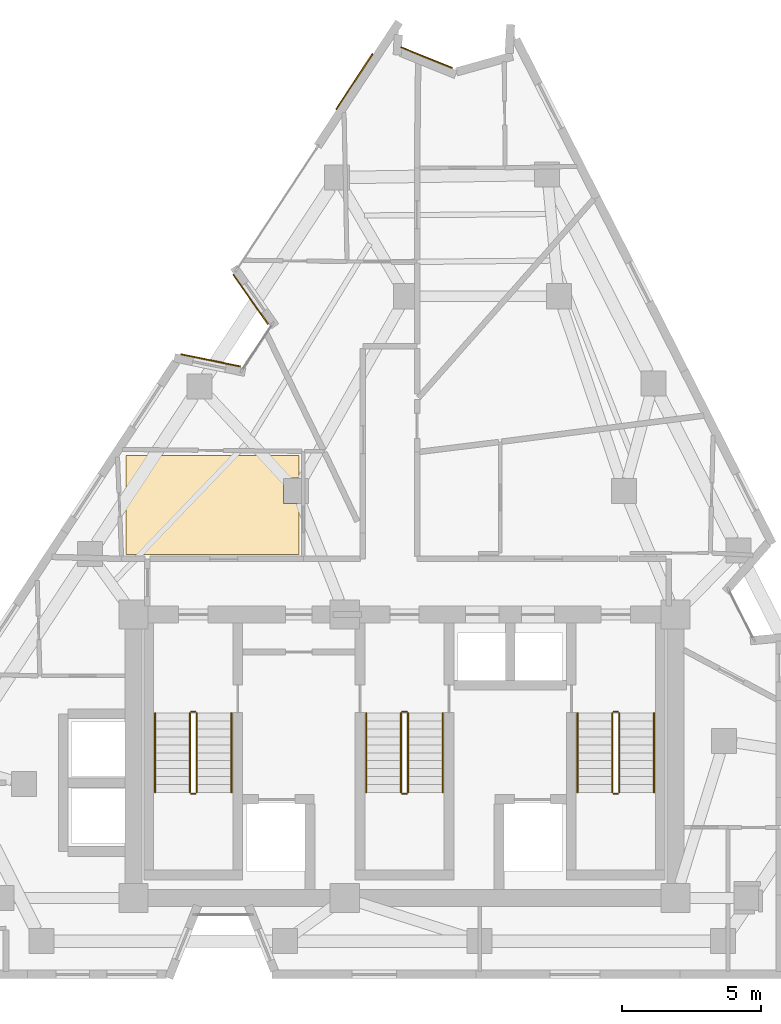
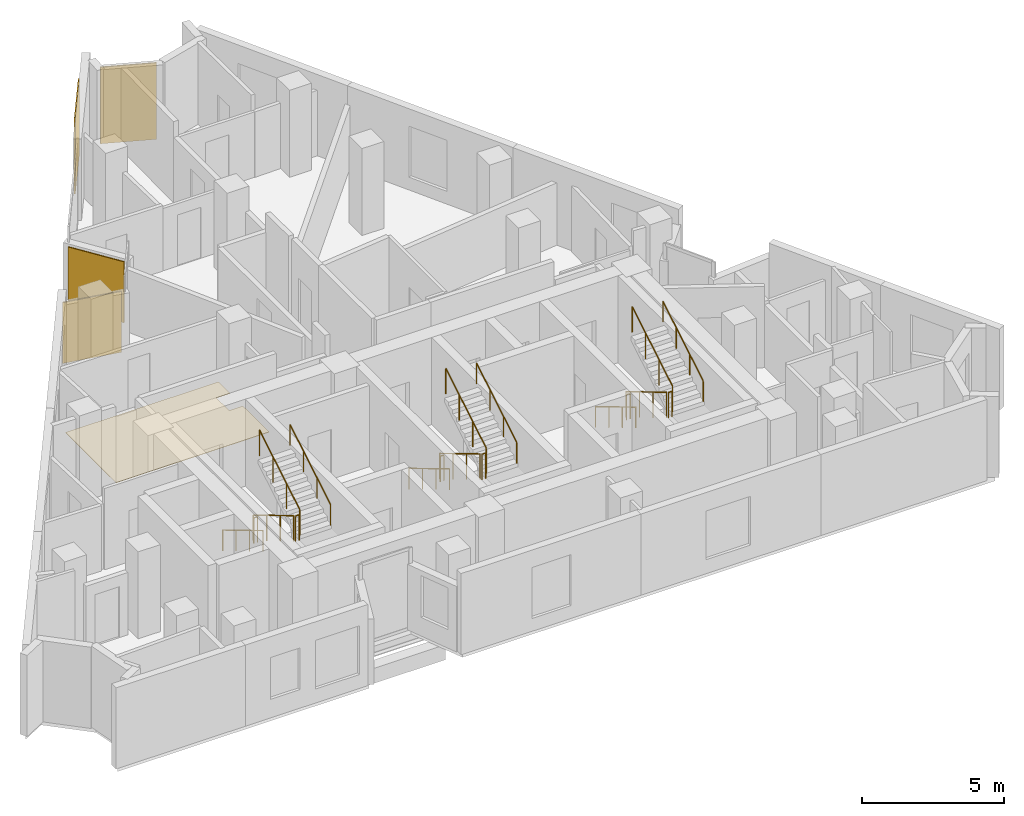
# One storey, part 10 of 10: 18 railings, 5 coverings.
"""IFC4 building model written with IfcOpenShell, lengths in metres."""

from ifc_helpers import new_model, si_unit, direction, frame, origin, origin_2d, place, context, subcontext, project, spatial, polyline, rectangle, circle, outline, extrude, material, layer, layer_set, type_object, element, save


model = new_model("IFC4")

# Units and contexts
model_context = context("Model", 3, precision=1e-05, world=origin(), true_north=direction((0.0, 1.0)))
body_context = subcontext(model_context, "Body", "Model", "MODEL_VIEW")
ifc_project = project(units=[si_unit("LENGTHUNIT", "METRE"), si_unit("AREAUNIT", "SQUARE_METRE"), si_unit("VOLUMEUNIT", "CUBIC_METRE"), si_unit("PLANEANGLEUNIT", "RADIAN"), si_unit("MASSUNIT", "GRAM", prefix="KILO")], contexts=[model_context])

# Site, building, storey
site_placement = place(None, origin())
site = spatial("IfcSite", under=ifc_project, at=site_placement, CompositionType="ELEMENT")
building_placement = place(site_placement, origin())
building = spatial("IfcBuilding", under=site, at=building_placement, Name="Almagre Mirador Tower", CompositionType="ELEMENT")
storey_placement = place(building_placement, frame((0.0, 0.0, 233.25)))
storey = spatial("IfcBuildingStorey", under=building, at=storey_placement, Name="L60", CompositionType="ELEMENT", Elevation=233.25)

# Coverings
ifc_material_1 = material(Name="Almagre terracotta architectural cladding", Category="masonry")
ifc_layer_1 = layer(ifc_material_1, 0.044921875)
ifc_layer_set_1 = layer_set([ifc_layer_1], Name="Almagre terracotta architectural cladding")
covering_type_1 = type_object("IfcCoveringType", Name="COV-CLAD-ALMAGRE", PredefinedType="CLADDING", material=ifc_layer_set_1)
covering_1_placement = place(storey_placement, frame((30.32373046875, 23.89404296875, 0.10009765625), z_axis=(0.0, 0.0, 1.0), x_axis=(0.979501484897, -0.201436940713, 0.0)))
element("IfcCovering", 1, at=covering_1_placement, inside=storey, type_object=covering_type_1, Name="L60 almagre terracotta pier cladding", PredefinedType="CLADDING", context=body_context, shape_type="SweptSolid", body=[
    extrude(rectangle(XDim=2.193115234375, YDim=0.044921875, at=origin_2d()), origin(), (0.0, 0.0, 1.0), 2.625),
])
covering_2_placement = place(storey_placement, frame((31.7646484375, 26.08740234375, 0.10009765625), z_axis=(0.0, 0.0, 1.0), x_axis=(-0.573890925866, 0.818931746367, 0.0)))
element("IfcCovering", 2, at=covering_2_placement, inside=storey, type_object=covering_type_1, Name="L60 almagre terracotta pier cladding", PredefinedType="CLADDING", context=body_context, shape_type="SweptSolid", body=[
    extrude(rectangle(XDim=2.194091796875, YDim=0.044921875, at=origin_2d()), origin(), (0.0, 0.0, 1.0), 2.625),
])
covering_3_placement = place(storey_placement, frame((35.494384765625, 33.9208984375, 0.10009765625), z_axis=(0.0, 0.0, 1.0), x_axis=(0.549066580017, 0.835778613455, 0.0)))
element("IfcCovering", 3, at=covering_3_placement, inside=storey, type_object=covering_type_1, Name="L60 almagre terracotta pier cladding", PredefinedType="CLADDING", context=body_context, shape_type="SweptSolid", body=[
    extrude(rectangle(XDim=2.39990234375, YDim=0.044921875, at=origin_2d()), origin(), (0.0, 0.0, 1.0), 3.300048828125),
])
covering_4_placement = place(storey_placement, frame((38.09375, 34.785400390625, 0.10009765625), z_axis=(0.0, 0.0, 1.0), x_axis=(0.927066122682, -0.374897858324, 0.0)))
element("IfcCovering", 4, at=covering_4_placement, inside=storey, type_object=covering_type_1, Name="L60 almagre terracotta pier cladding", PredefinedType="CLADDING", context=body_context, shape_type="SweptSolid", body=[
    extrude(rectangle(XDim=2.0009765625, YDim=0.044921875, at=origin_2d()), origin(), (0.0, 0.0, 1.0), 3.300048828125),
])
ifc_material_2 = material(Name="Engineered white oak flooring", Category="wood")
ifc_layer_2 = layer(ifc_material_2, 0.01806640625)
ifc_layer_set_2 = layer_set([ifc_layer_2], Name="Engineered white oak flooring")
covering_type_2 = type_object("IfcCoveringType", Name="COV-FLR-OAK-18", PredefinedType="FLOORING", material=ifc_layer_set_2)
covering_5_placement = place(storey_placement, origin())
element("IfcCovering", 5, at=covering_5_placement, inside=storey, type_object=covering_type_2, Name="L60 Unit L60-F Living and Dining Room finish flooring", PredefinedType="FLOORING", context=body_context, shape_type="SweptSolid", body=[
    extrude(outline(polyline([(27.27001953125, 20.469970703125), (33.510009765625, 20.469970703125), (33.510009765625, 19.655029296875), (32.945068359375, 19.655029296875), (32.945068359375, 18.7451171875), (33.510009765625, 18.7451171875), (33.510009765625, 16.89990234375), (27.27001953125, 16.89990234375), (27.27001953125, 20.469970703125)])), origin(), (0.0, 0.0, 1.0), 0.01806640625),
])

# Railings
ifc_material_3 = material(Name="Painted galvanized steel", Category="steel")
railing_type_1 = type_object("IfcRailingType", Name="RLG-GRD-1100", PredefinedType="GUARDRAIL", material=ifc_material_3)
railing_1_placement = place(storey_placement, frame((29.574951171875, 11.199951171875, 0.17041015625)))
element("IfcRailing", 6, at=railing_1_placement, inside=storey, type_object=railing_type_1, Name="L60 ST-1 stair guard 1", PredefinedType="GUARDRAIL", context=body_context, shape_type="SweptSolid", body=[
    extrude(circle(Radius=0.02392578125, at=origin_2d()), frame((0.0, 0.0, 1.09619140625), z_axis=(0.0, -0.858199205511, 0.513316786848), x_axis=(1.0, 0.0, 0.0)), (0.0, 0.0, 1.0), 3.32080078125),
    extrude(circle(Radius=0.02099609375, at=origin_2d()), origin(), (0.0, 0.0, 1.0), 1.072021484375),
    extrude(circle(Radius=0.02099609375, at=origin_2d()), frame((0.0, -0.949951171875, 0.568115234375)), (0.0, 0.0, 1.0), 1.072021484375),
    extrude(circle(Radius=0.02099609375, at=origin_2d()), frame((0.0, -1.89990234375, 1.136474609375)), (0.0, 0.0, 1.0), 1.072021484375),
    extrude(circle(Radius=0.02099609375, at=origin_2d()), frame((0.0, -2.849853515625, 1.70458984375)), (0.0, 0.0, 1.0), 1.072021484375),
])
railing_2_placement = place(storey_placement, frame((29.625, 8.300048828125, 1.875)))
element("IfcRailing", 7, at=railing_2_placement, inside=storey, type_object=railing_type_1, Name="L60 ST-1 stair guard 2", PredefinedType="GUARDRAIL", context=body_context, shape_type="SweptSolid", body=[
    extrude(circle(Radius=0.02392578125, at=origin_2d()), frame((0.0, 0.0, 1.09619140625), z_axis=(1.0, 0.0, 0.0), x_axis=(0.0, 1.0, 0.0)), (0.0, 0.0, 1.0), 0.14990234375),
    extrude(circle(Radius=0.02099609375, at=origin_2d()), origin(), (0.0, 0.0, 1.0), 1.072021484375),
    extrude(circle(Radius=0.02099609375, at=origin_2d()), frame((0.14990234375, 0.0, 0.0)), (0.0, 0.0, 1.0), 1.072021484375),
])
railing_3_placement = place(storey_placement, frame((29.824951171875, 8.35009765625, 2.04541015625)))
element("IfcRailing", 8, at=railing_3_placement, inside=storey, type_object=railing_type_1, Name="L60 ST-1 stair guard 3", PredefinedType="GUARDRAIL", context=body_context, shape_type="SweptSolid", body=[
    extrude(circle(Radius=0.02392578125, at=origin_2d()), frame((0.0, 0.0, 1.09619140625), z_axis=(0.0, 0.858199205511, 0.513316786848), x_axis=(-1.0, 0.0, 0.0)), (0.0, 0.0, 1.0), 3.32080078125),
    extrude(circle(Radius=0.02099609375, at=origin_2d()), origin(), (0.0, 0.0, 1.0), 1.072021484375),
    extrude(circle(Radius=0.02099609375, at=origin_2d()), frame((0.0, 0.949951171875, 0.568115234375)), (0.0, 0.0, 1.0), 1.072021484375),
    extrude(circle(Radius=0.02099609375, at=origin_2d()), frame((0.0, 1.89990234375, 1.136474609375)), (0.0, 0.0, 1.0), 1.072021484375),
    extrude(circle(Radius=0.02099609375, at=origin_2d()), frame((0.0, 2.849853515625, 1.70458984375)), (0.0, 0.0, 1.0), 1.072021484375),
])
railing_4_placement = place(storey_placement, frame((29.625, 11.25, 0.0)))
element("IfcRailing", 9, at=railing_4_placement, inside=storey, type_object=railing_type_1, Name="L60 ST-1 stair guard 4", PredefinedType="GUARDRAIL", context=body_context, shape_type="SweptSolid", body=[
    extrude(circle(Radius=0.02392578125, at=origin_2d()), frame((0.0, 0.0, 1.09619140625), z_axis=(1.0, 0.0, 0.0), x_axis=(0.0, 1.0, 0.0)), (0.0, 0.0, 1.0), 0.14990234375),
    extrude(circle(Radius=0.02099609375, at=origin_2d()), origin(), (0.0, 0.0, 1.0), 1.072021484375),
    extrude(circle(Radius=0.02099609375, at=origin_2d()), frame((0.14990234375, 0.0, 0.0)), (0.0, 0.0, 1.0), 1.072021484375),
])
railing_5_placement = place(storey_placement, frame((37.175048828125, 11.199951171875, 0.17041015625)))
element("IfcRailing", 10, at=railing_5_placement, inside=storey, type_object=railing_type_1, Name="L60 ST-2 stair guard 1", PredefinedType="GUARDRAIL", context=body_context, shape_type="SweptSolid", body=[
    extrude(circle(Radius=0.02392578125, at=origin_2d()), frame((0.0, 0.0, 1.09619140625), z_axis=(0.0, -0.858199205511, 0.513316786848), x_axis=(1.0, 0.0, 0.0)), (0.0, 0.0, 1.0), 3.32080078125),
    extrude(circle(Radius=0.02099609375, at=origin_2d()), origin(), (0.0, 0.0, 1.0), 1.072021484375),
    extrude(circle(Radius=0.02099609375, at=origin_2d()), frame((0.0, -0.949951171875, 0.568115234375)), (0.0, 0.0, 1.0), 1.072021484375),
    extrude(circle(Radius=0.02099609375, at=origin_2d()), frame((0.0, -1.89990234375, 1.136474609375)), (0.0, 0.0, 1.0), 1.072021484375),
    extrude(circle(Radius=0.02099609375, at=origin_2d()), frame((0.0, -2.849853515625, 1.70458984375)), (0.0, 0.0, 1.0), 1.072021484375),
])
railing_6_placement = place(storey_placement, frame((37.22509765625, 8.300048828125, 1.875)))
element("IfcRailing", 11, at=railing_6_placement, inside=storey, type_object=railing_type_1, Name="L60 ST-2 stair guard 2", PredefinedType="GUARDRAIL", context=body_context, shape_type="SweptSolid", body=[
    extrude(circle(Radius=0.02392578125, at=origin_2d()), frame((0.0, 0.0, 1.09619140625), z_axis=(1.0, 0.0, 0.0), x_axis=(0.0, 1.0, 0.0)), (0.0, 0.0, 1.0), 0.14990234375),
    extrude(circle(Radius=0.02099609375, at=origin_2d()), origin(), (0.0, 0.0, 1.0), 1.072021484375),
    extrude(circle(Radius=0.02099609375, at=origin_2d()), frame((0.14990234375, 0.0, 0.0)), (0.0, 0.0, 1.0), 1.072021484375),
])
railing_7_placement = place(storey_placement, frame((37.425048828125, 8.35009765625, 2.04541015625)))
element("IfcRailing", 12, at=railing_7_placement, inside=storey, type_object=railing_type_1, Name="L60 ST-2 stair guard 3", PredefinedType="GUARDRAIL", context=body_context, shape_type="SweptSolid", body=[
    extrude(circle(Radius=0.02392578125, at=origin_2d()), frame((0.0, 0.0, 1.09619140625), z_axis=(0.0, 0.858199205511, 0.513316786848), x_axis=(-1.0, 0.0, 0.0)), (0.0, 0.0, 1.0), 3.32080078125),
    extrude(circle(Radius=0.02099609375, at=origin_2d()), origin(), (0.0, 0.0, 1.0), 1.072021484375),
    extrude(circle(Radius=0.02099609375, at=origin_2d()), frame((0.0, 0.949951171875, 0.568115234375)), (0.0, 0.0, 1.0), 1.072021484375),
    extrude(circle(Radius=0.02099609375, at=origin_2d()), frame((0.0, 1.89990234375, 1.136474609375)), (0.0, 0.0, 1.0), 1.072021484375),
    extrude(circle(Radius=0.02099609375, at=origin_2d()), frame((0.0, 2.849853515625, 1.70458984375)), (0.0, 0.0, 1.0), 1.072021484375),
])
railing_8_placement = place(storey_placement, frame((37.22509765625, 11.25, 0.0)))
element("IfcRailing", 13, at=railing_8_placement, inside=storey, type_object=railing_type_1, Name="L60 ST-2 stair guard 4", PredefinedType="GUARDRAIL", context=body_context, shape_type="SweptSolid", body=[
    extrude(circle(Radius=0.02392578125, at=origin_2d()), frame((0.0, 0.0, 1.09619140625), z_axis=(1.0, 0.0, 0.0), x_axis=(0.0, 1.0, 0.0)), (0.0, 0.0, 1.0), 0.14990234375),
    extrude(circle(Radius=0.02099609375, at=origin_2d()), origin(), (0.0, 0.0, 1.0), 1.072021484375),
    extrude(circle(Radius=0.02099609375, at=origin_2d()), frame((0.14990234375, 0.0, 0.0)), (0.0, 0.0, 1.0), 1.072021484375),
])
railing_9_placement = place(storey_placement, frame((44.77490234375, 11.199951171875, 0.17041015625)))
element("IfcRailing", 14, at=railing_9_placement, inside=storey, type_object=railing_type_1, Name="L60 ST-3 stair guard 1", PredefinedType="GUARDRAIL", context=body_context, shape_type="SweptSolid", body=[
    extrude(circle(Radius=0.02392578125, at=origin_2d()), frame((0.0, 0.0, 1.09619140625), z_axis=(0.0, -0.858199205511, 0.513316786848), x_axis=(1.0, 0.0, 0.0)), (0.0, 0.0, 1.0), 3.32080078125),
    extrude(circle(Radius=0.02099609375, at=origin_2d()), origin(), (0.0, 0.0, 1.0), 1.072021484375),
    extrude(circle(Radius=0.02099609375, at=origin_2d()), frame((0.0, -0.949951171875, 0.568115234375)), (0.0, 0.0, 1.0), 1.072021484375),
    extrude(circle(Radius=0.02099609375, at=origin_2d()), frame((0.0, -1.89990234375, 1.136474609375)), (0.0, 0.0, 1.0), 1.072021484375),
    extrude(circle(Radius=0.02099609375, at=origin_2d()), frame((0.0, -2.849853515625, 1.70458984375)), (0.0, 0.0, 1.0), 1.072021484375),
])
railing_10_placement = place(storey_placement, frame((44.824951171875, 8.300048828125, 1.875)))
element("IfcRailing", 15, at=railing_10_placement, inside=storey, type_object=railing_type_1, Name="L60 ST-3 stair guard 2", PredefinedType="GUARDRAIL", context=body_context, shape_type="SweptSolid", body=[
    extrude(circle(Radius=0.02392578125, at=origin_2d()), frame((0.0, 0.0, 1.09619140625), z_axis=(1.0, 0.0, 0.0), x_axis=(0.0, 1.0, 0.0)), (0.0, 0.0, 1.0), 0.150146484375),
    extrude(circle(Radius=0.02099609375, at=origin_2d()), origin(), (0.0, 0.0, 1.0), 1.072021484375),
    extrude(circle(Radius=0.02099609375, at=origin_2d()), frame((0.150146484375, 0.0, 0.0)), (0.0, 0.0, 1.0), 1.072021484375),
])
railing_11_placement = place(storey_placement, frame((45.02490234375, 8.35009765625, 2.04541015625)))
element("IfcRailing", 16, at=railing_11_placement, inside=storey, type_object=railing_type_1, Name="L60 ST-3 stair guard 3", PredefinedType="GUARDRAIL", context=body_context, shape_type="SweptSolid", body=[
    extrude(circle(Radius=0.02392578125, at=origin_2d()), frame((0.0, 0.0, 1.09619140625), z_axis=(0.0, 0.858199205511, 0.513316786848), x_axis=(-1.0, 0.0, 0.0)), (0.0, 0.0, 1.0), 3.32080078125),
    extrude(circle(Radius=0.02099609375, at=origin_2d()), origin(), (0.0, 0.0, 1.0), 1.072021484375),
    extrude(circle(Radius=0.02099609375, at=origin_2d()), frame((0.0, 0.949951171875, 0.568115234375)), (0.0, 0.0, 1.0), 1.072021484375),
    extrude(circle(Radius=0.02099609375, at=origin_2d()), frame((0.0, 1.89990234375, 1.136474609375)), (0.0, 0.0, 1.0), 1.072021484375),
    extrude(circle(Radius=0.02099609375, at=origin_2d()), frame((0.0, 2.849853515625, 1.70458984375)), (0.0, 0.0, 1.0), 1.072021484375),
])
railing_12_placement = place(storey_placement, frame((44.824951171875, 11.25, 0.0)))
element("IfcRailing", 17, at=railing_12_placement, inside=storey, type_object=railing_type_1, Name="L60 ST-3 stair guard 4", PredefinedType="GUARDRAIL", context=body_context, shape_type="SweptSolid", body=[
    extrude(circle(Radius=0.02392578125, at=origin_2d()), frame((0.0, 0.0, 1.09619140625), z_axis=(1.0, 0.0, 0.0), x_axis=(0.0, 1.0, 0.0)), (0.0, 0.0, 1.0), 0.150146484375),
    extrude(circle(Radius=0.02099609375, at=origin_2d()), origin(), (0.0, 0.0, 1.0), 1.072021484375),
    extrude(circle(Radius=0.02099609375, at=origin_2d()), frame((0.150146484375, 0.0, 0.0)), (0.0, 0.0, 1.0), 1.072021484375),
])
ifc_material_4 = material(Name="Brushed stainless steel", Category="steel")
railing_type_2 = type_object("IfcRailingType", Name="RLG-HND-915", PredefinedType="HANDRAIL", material=ifc_material_4)
railing_13_placement = place(storey_placement, frame((28.324951171875, 11.199951171875, 0.17041015625)))
element("IfcRailing", 18, at=railing_13_placement, inside=storey, type_object=railing_type_2, Name="L60 ST-1 stair handrail 1", PredefinedType="HANDRAIL", context=body_context, shape_type="SweptSolid", body=[
    extrude(circle(Radius=0.02392578125, at=origin_2d()), frame((0.0, 0.0, 0.89111328125), z_axis=(0.0, -0.858199205511, 0.513316786848), x_axis=(1.0, 0.0, 0.0)), (0.0, 0.0, 1.0), 3.32080078125),
    extrude(circle(Radius=0.02099609375, at=origin_2d()), origin(), (0.0, 0.0, 1.0), 0.866943359375),
    extrude(circle(Radius=0.02099609375, at=origin_2d()), frame((0.0, -0.949951171875, 0.568115234375)), (0.0, 0.0, 1.0), 0.866943359375),
    extrude(circle(Radius=0.02099609375, at=origin_2d()), frame((0.0, -1.89990234375, 1.136474609375)), (0.0, 0.0, 1.0), 0.866943359375),
    extrude(circle(Radius=0.02099609375, at=origin_2d()), frame((0.0, -2.849853515625, 1.70458984375)), (0.0, 0.0, 1.0), 0.866943359375),
])
railing_14_placement = place(storey_placement, frame((31.074951171875, 8.35009765625, 2.04541015625)))
element("IfcRailing", 19, at=railing_14_placement, inside=storey, type_object=railing_type_2, Name="L60 ST-1 stair handrail 2", PredefinedType="HANDRAIL", context=body_context, shape_type="SweptSolid", body=[
    extrude(circle(Radius=0.02392578125, at=origin_2d()), frame((0.0, 0.0, 0.89111328125), z_axis=(0.0, 0.858199205511, 0.513316786848), x_axis=(-1.0, 0.0, 0.0)), (0.0, 0.0, 1.0), 3.32080078125),
    extrude(circle(Radius=0.02099609375, at=origin_2d()), origin(), (0.0, 0.0, 1.0), 0.866943359375),
    extrude(circle(Radius=0.02099609375, at=origin_2d()), frame((0.0, 0.949951171875, 0.568115234375)), (0.0, 0.0, 1.0), 0.866943359375),
    extrude(circle(Radius=0.02099609375, at=origin_2d()), frame((0.0, 1.89990234375, 1.136474609375)), (0.0, 0.0, 1.0), 0.866943359375),
    extrude(circle(Radius=0.02099609375, at=origin_2d()), frame((0.0, 2.849853515625, 1.70458984375)), (0.0, 0.0, 1.0), 0.866943359375),
])
railing_15_placement = place(storey_placement, frame((35.925048828125, 11.199951171875, 0.17041015625)))
element("IfcRailing", 20, at=railing_15_placement, inside=storey, type_object=railing_type_2, Name="L60 ST-2 stair handrail 1", PredefinedType="HANDRAIL", context=body_context, shape_type="SweptSolid", body=[
    extrude(circle(Radius=0.02392578125, at=origin_2d()), frame((0.0, 0.0, 0.89111328125), z_axis=(0.0, -0.858199205511, 0.513316786848), x_axis=(1.0, 0.0, 0.0)), (0.0, 0.0, 1.0), 3.32080078125),
    extrude(circle(Radius=0.02099609375, at=origin_2d()), origin(), (0.0, 0.0, 1.0), 0.866943359375),
    extrude(circle(Radius=0.02099609375, at=origin_2d()), frame((0.0, -0.949951171875, 0.568115234375)), (0.0, 0.0, 1.0), 0.866943359375),
    extrude(circle(Radius=0.02099609375, at=origin_2d()), frame((0.0, -1.89990234375, 1.136474609375)), (0.0, 0.0, 1.0), 0.866943359375),
    extrude(circle(Radius=0.02099609375, at=origin_2d()), frame((0.0, -2.849853515625, 1.70458984375)), (0.0, 0.0, 1.0), 0.866943359375),
])
railing_16_placement = place(storey_placement, frame((38.675048828125, 8.35009765625, 2.04541015625)))
element("IfcRailing", 21, at=railing_16_placement, inside=storey, type_object=railing_type_2, Name="L60 ST-2 stair handrail 2", PredefinedType="HANDRAIL", context=body_context, shape_type="SweptSolid", body=[
    extrude(circle(Radius=0.02392578125, at=origin_2d()), frame((0.0, 0.0, 0.89111328125), z_axis=(0.0, 0.858199205511, 0.513316786848), x_axis=(-1.0, 0.0, 0.0)), (0.0, 0.0, 1.0), 3.32080078125),
    extrude(circle(Radius=0.02099609375, at=origin_2d()), origin(), (0.0, 0.0, 1.0), 0.866943359375),
    extrude(circle(Radius=0.02099609375, at=origin_2d()), frame((0.0, 0.949951171875, 0.568115234375)), (0.0, 0.0, 1.0), 0.866943359375),
    extrude(circle(Radius=0.02099609375, at=origin_2d()), frame((0.0, 1.89990234375, 1.136474609375)), (0.0, 0.0, 1.0), 0.866943359375),
    extrude(circle(Radius=0.02099609375, at=origin_2d()), frame((0.0, 2.849853515625, 1.70458984375)), (0.0, 0.0, 1.0), 0.866943359375),
])
railing_17_placement = place(storey_placement, frame((43.52490234375, 11.199951171875, 0.17041015625)))
element("IfcRailing", 22, at=railing_17_placement, inside=storey, type_object=railing_type_2, Name="L60 ST-3 stair handrail 1", PredefinedType="HANDRAIL", context=body_context, shape_type="SweptSolid", body=[
    extrude(circle(Radius=0.02392578125, at=origin_2d()), frame((0.0, 0.0, 0.89111328125), z_axis=(0.0, -0.858199205511, 0.513316786848), x_axis=(1.0, 0.0, 0.0)), (0.0, 0.0, 1.0), 3.32080078125),
    extrude(circle(Radius=0.02099609375, at=origin_2d()), origin(), (0.0, 0.0, 1.0), 0.866943359375),
    extrude(circle(Radius=0.02099609375, at=origin_2d()), frame((0.0, -0.949951171875, 0.568115234375)), (0.0, 0.0, 1.0), 0.866943359375),
    extrude(circle(Radius=0.02099609375, at=origin_2d()), frame((0.0, -1.89990234375, 1.136474609375)), (0.0, 0.0, 1.0), 0.866943359375),
    extrude(circle(Radius=0.02099609375, at=origin_2d()), frame((0.0, -2.849853515625, 1.70458984375)), (0.0, 0.0, 1.0), 0.866943359375),
])
railing_18_placement = place(storey_placement, frame((46.27490234375, 8.35009765625, 2.04541015625)))
element("IfcRailing", 23, at=railing_18_placement, inside=storey, type_object=railing_type_2, Name="L60 ST-3 stair handrail 2", PredefinedType="HANDRAIL", context=body_context, shape_type="SweptSolid", body=[
    extrude(circle(Radius=0.02392578125, at=origin_2d()), frame((0.0, 0.0, 0.89111328125), z_axis=(0.0, 0.858199205511, 0.513316786848), x_axis=(-1.0, 0.0, 0.0)), (0.0, 0.0, 1.0), 3.32080078125),
    extrude(circle(Radius=0.02099609375, at=origin_2d()), origin(), (0.0, 0.0, 1.0), 0.866943359375),
    extrude(circle(Radius=0.02099609375, at=origin_2d()), frame((0.0, 0.949951171875, 0.568115234375)), (0.0, 0.0, 1.0), 0.866943359375),
    extrude(circle(Radius=0.02099609375, at=origin_2d()), frame((0.0, 1.89990234375, 1.136474609375)), (0.0, 0.0, 1.0), 0.866943359375),
    extrude(circle(Radius=0.02099609375, at=origin_2d()), frame((0.0, 2.849853515625, 1.70458984375)), (0.0, 0.0, 1.0), 0.866943359375),
])

save(model, "model.ifc")
